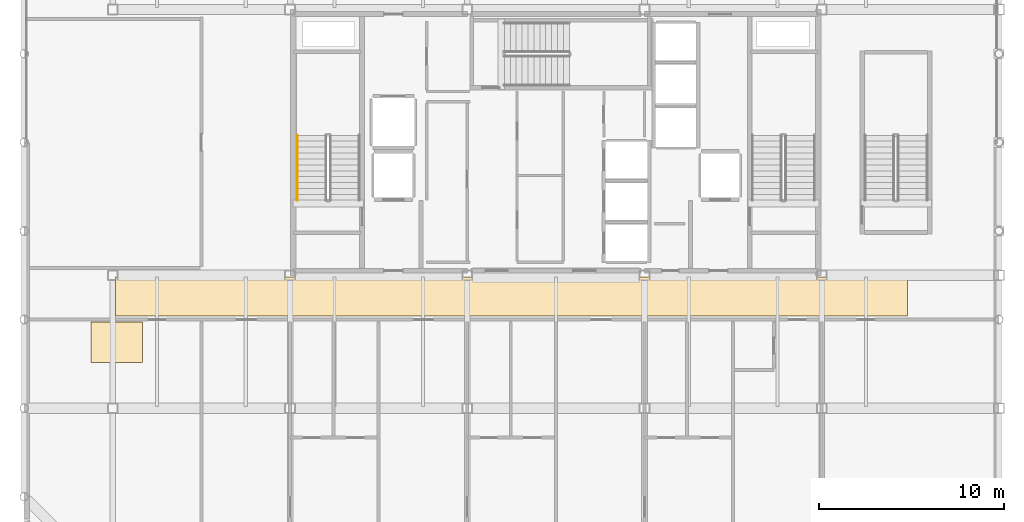
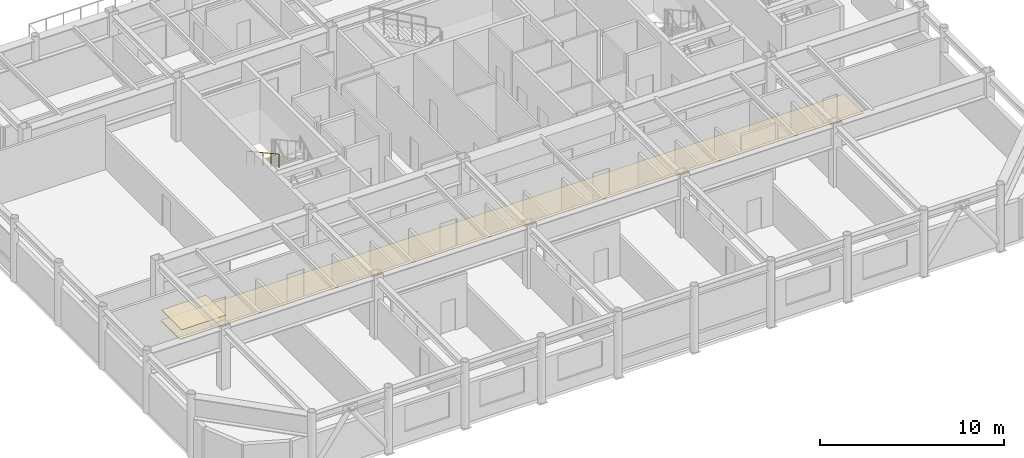
# One storey, part 21 of 23: 2 coverings, 1 railing.
"""IFC4 building model written with IfcOpenShell, lengths in metres."""

from ifc_helpers import new_model, si_unit, direction, frame, origin, origin_2d, place, context, subcontext, project, spatial, rectangle, circle, extrude, material, layer, layer_set, type_object, element, save


model = new_model("IFC4")

# Units and contexts
model_context = context("Model", 3, precision=1e-05, world=origin(), true_north=direction((0.0, 1.0)))
body_context = subcontext(model_context, "Body", "Model", "MODEL_VIEW")
ifc_project = project(units=[si_unit("LENGTHUNIT", "METRE"), si_unit("AREAUNIT", "SQUARE_METRE"), si_unit("VOLUMEUNIT", "CUBIC_METRE"), si_unit("PLANEANGLEUNIT", "RADIAN"), si_unit("MASSUNIT", "GRAM", prefix="KILO")], contexts=[model_context])

# Site, building, storey
site_placement = place(None, origin())
site = spatial("IfcSite", under=ifc_project, at=site_placement, CompositionType="ELEMENT")
building_placement = place(site_placement, origin())
building = spatial("IfcBuilding", under=site, at=building_placement, Name="Kallvorn Hotel Tower", CompositionType="ELEMENT")
storey_placement = place(building_placement, frame((0.0, 0.0, 282.199951171875)))
storey = spatial("IfcBuildingStorey", under=building, at=storey_placement, Name="L70", CompositionType="ELEMENT", Elevation=282.199951171875)

# Coverings
ifc_material_1 = material(Name="Mineral-fibre suspended acoustic ceiling tile")
ifc_layer_1 = layer(ifc_material_1, 0.030029296875)
ifc_layer_set_1 = layer_set([ifc_layer_1], Name="COV_CEILING_ACT")
covering_type_1 = type_object("IfcCoveringType", Name="COV_CEILING_ACT", PredefinedType="CEILING", material=ifc_layer_set_1)
covering_1_placement = place(storey_placement, frame((-23.7900390625, -10.820068359375, 2.63525390625), z_axis=(0.0, 0.0, 1.0), x_axis=(1.0, 0.0, 0.0)))
element("IfcCovering", 1, at=covering_1_placement, inside=storey, type_object=covering_type_1, Name="L70 Suspended Acoustic Ceiling 01", PredefinedType="CEILING", context=body_context, shape_type="SweptSolid", body=[
    extrude(rectangle(XDim=2.800048828125, YDim=2.199951171875, at=origin_2d()), origin(), (0.0, 0.0, 1.0), 0.030029296875),
])
ifc_material_2 = material(Name="Honed Andean stone terrazzo floor finish", Category="masonry")
ifc_layer_2 = layer(ifc_material_2, 0.0400390625)
ifc_layer_set_2 = layer_set([ifc_layer_2], Name="COV_FLOOR_TERR")
covering_type_2 = type_object("IfcCoveringType", Name="COV_FLOOR_TERR", PredefinedType="FLOORING", material=ifc_layer_set_2)
covering_2_placement = place(storey_placement, frame((-2.39990234375, -8.35009765625, 0.0), z_axis=(0.0, 0.0, 1.0), x_axis=(1.0, 0.0, 0.0)))
element("IfcCovering", 2, at=covering_2_placement, inside=storey, type_object=covering_type_2, Name="L70 Honed Terrazzo Lobby Flooring 01", PredefinedType="FLOORING", context=body_context, shape_type="SweptSolid", body=[
    extrude(rectangle(XDim=42.89990234375, YDim=2.10009765625, at=origin_2d()), origin(), (0.0, 0.0, 1.0), 0.0400390625),
])

# Railing
ifc_material_3 = material(Name="Brushed stainless-steel tubular railing", Category="steel")
ifc_layer_3 = layer(ifc_material_3, 0.050048828125)
ifc_layer_set_3 = layer_set([ifc_layer_3], Name="RL_STAIR_HAND")
railing_type = type_object("IfcRailingType", Name="RL_STAIR_HAND", PredefinedType="HANDRAIL", material=ifc_layer_set_3)
railing_placement = place(storey_placement, frame((-14.010009765625, 0.3798828125, 2.275146484375)))
element("IfcRailing", 3, at=railing_placement, inside=storey, type_object=railing_type, Name="L70 ST1 stair handrail 2", PredefinedType="HANDRAIL", context=body_context, shape_type="SweptSolid", body=[
    extrude(circle(Radius=0.02392578125, at=origin_2d()), frame((0.0, 0.0, 0.8759765625), z_axis=(0.0, -0.877378745167, 0.479798434272), x_axis=(1.0, 0.0, 0.0)), (0.0, 0.0, 1.0), 4.01171875),
    extrude(circle(Radius=0.02099609375, at=origin_2d()), origin(), (0.0, 0.0, 1.0), 0.851806640625),
    extrude(circle(Radius=0.02099609375, at=origin_2d()), frame((0.0, -0.8798828125, 0.481201171875)), (0.0, 0.0, 1.0), 0.851806640625),
    extrude(circle(Radius=0.02099609375, at=origin_2d()), frame((0.0, -1.759765625, 0.96240234375)), (0.0, 0.0, 1.0), 0.851806640625),
    extrude(circle(Radius=0.02099609375, at=origin_2d()), frame((0.0, -2.639892578125, 1.443603515625)), (0.0, 0.0, 1.0), 0.851806640625),
    extrude(circle(Radius=0.02099609375, at=origin_2d()), frame((0.0, -3.519775390625, 1.9248046875)), (0.0, 0.0, 1.0), 0.851806640625),
])

save(model, "model.ifc")
